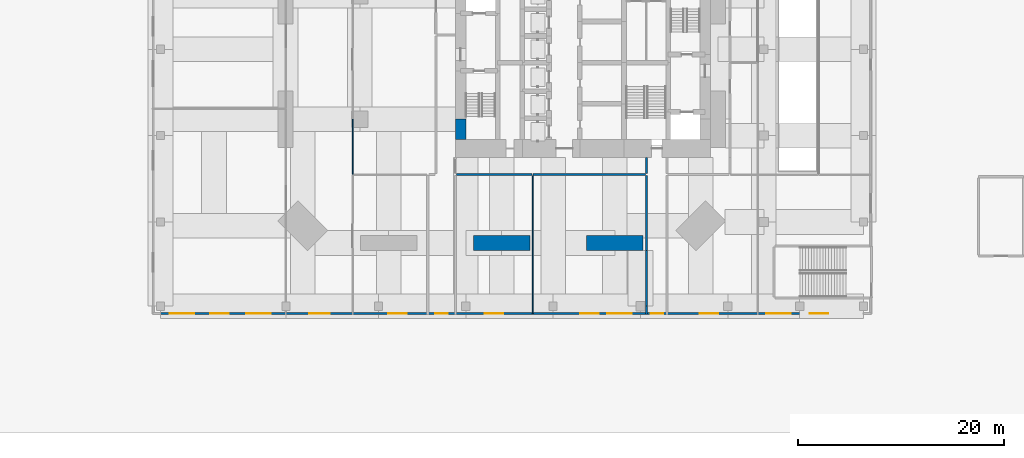
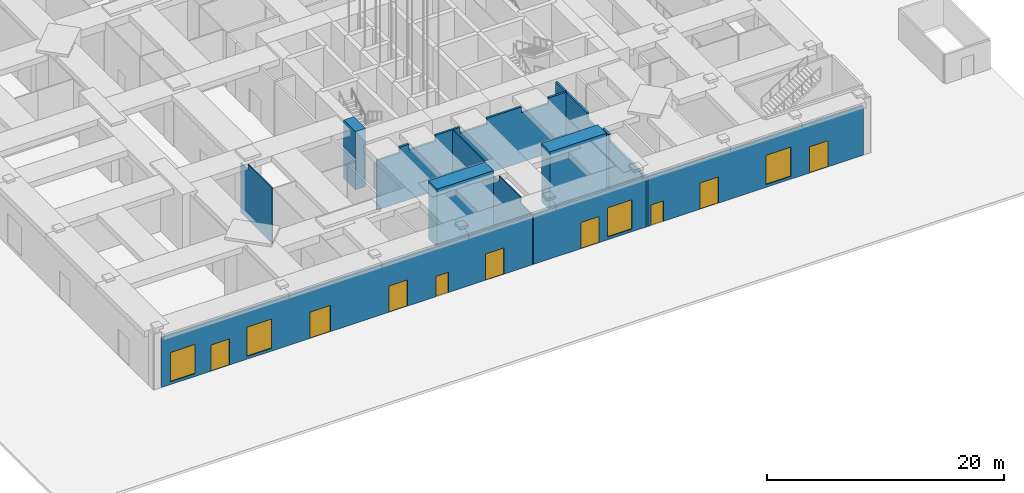
# One storey, part 4 of 17: 12 walls, 9 doors, 4 windows, 13 openings.
"""IFC4 building model written with IfcOpenShell, lengths in metres."""

from ifc_helpers import new_model, si_unit, direction, frame, frame_2d, origin, place, context, subcontext, project, spatial, polyline, rectangle, outline, extrude, material, layer, layer_set, constituent, constituent_set, type_object, element, fill, save


model = new_model("IFC4")

# Units and contexts
model_context = context("Model", 3, precision=1e-05, world=origin(), true_north=direction((0.0, 1.0)))
body_context = subcontext(model_context, "Body", "Model", "MODEL_VIEW")
ifc_project = project(units=[si_unit("LENGTHUNIT", "METRE"), si_unit("AREAUNIT", "SQUARE_METRE"), si_unit("VOLUMEUNIT", "CUBIC_METRE"), si_unit("PLANEANGLEUNIT", "RADIAN"), si_unit("MASSUNIT", "GRAM", prefix="KILO")], contexts=[model_context])

# Site, building, storey
site_placement = place(None, origin())
site = spatial("IfcSite", under=ifc_project, at=site_placement, CompositionType="ELEMENT")
building_placement = place(site_placement, origin())
building = spatial("IfcBuilding", under=site, at=building_placement, Name="Jalousie Tower", CompositionType="ELEMENT")
storey_placement = place(building_placement, origin())
storey = spatial("IfcBuildingStorey", under=building, at=storey_placement, Name="L00", CompositionType="ELEMENT", Elevation=0.0)

# Walls
ifc_material_1 = material(Name="Concrete f'c 120 MPa", Category="concrete")
ifc_layer_1 = layer(ifc_material_1, 1.0)
ifc_layer_set_1 = layer_set([ifc_layer_1], Name="Concrete f'c 120 MPa")
wall_type_1 = type_object("IfcWallType", Name="CORE WALL 1000", PredefinedType="SHEAR", material=ifc_layer_set_1)
wall_1_placement = place(storey_placement, frame((20.0, 13.0, 0.0), z_axis=(0.0, 0.0, 1.0), x_axis=(0.0, -1.0, 0.0)))
element("IfcWall", 1, at=wall_1_placement, inside=storey, type_object=wall_type_1, Name="Core wall WD L00", PredefinedType="SHEAR", context=body_context, shape_type="SweptSolid", body=[
    extrude(rectangle(XDim=2.0, YDim=1.0, at=frame_2d((1.0, 0.0))), origin(), (0.0, 0.0, 1.0), 6.0),
])
ifc_material_2 = material(Name="Concrete block ASTM C90", Category="concrete")
ifc_constituent_1 = constituent(ifc_material_2, Name="Body")
ifc_material_3 = material(Name="Render")
ifc_constituent_2 = constituent(ifc_material_3, Name="Finish")
ifc_constituent_set_1 = constituent_set(constituents=[ifc_constituent_1, ifc_constituent_2])
wall_type_2 = type_object("IfcWallType", Name="CORRIDOR WALL 200", PredefinedType="PARTITIONING", material=ifc_constituent_set_1)
wall_2_placement = place(storey_placement, frame((27.050048828125, 7.60009765625, 0.0), z_axis=(0.0, 0.0, 1.0), x_axis=(1.0, 0.0, 0.0)))
element("IfcWall", 2, at=wall_2_placement, inside=storey, type_object=wall_type_2, Name="Corridor Wall 200 L00", PredefinedType="PARTITIONING", context=body_context, shape_type="SweptSolid", body=[
    extrude(outline(polyline([(0.0, 0.0), (10.949951171875, 0.0), (10.949951171875, 5.719970703125), (9.260009765625, 5.719970703125), (9.260009765625, 5.1201171875), (6.639892578125, 5.1201171875), (6.639892578125, 5.719970703125), (3.260009765625, 5.719970703125), (3.260009765625, 5.1201171875), (0.639892578125, 5.1201171875), (0.639892578125, 5.719970703125), (0.0, 5.719970703125), (0.0, 0.0)])), frame((0.0, 0.10009765625, 0.0), z_axis=(0.0, -1.0, 0.0), x_axis=(1.0, 0.0, 0.0)), (0.0, 0.0, 1.0), 0.199951171875),
])
wall_3_placement = place(storey_placement, frame((19.60009765625, 7.60009765625, 0.0), z_axis=(0.0, 0.0, 1.0), x_axis=(1.0, 0.0, 0.0)))
element("IfcWall", 3, at=wall_3_placement, inside=storey, type_object=wall_type_2, Name="Corridor Wall 200 L00", PredefinedType="PARTITIONING", context=body_context, shape_type="SweptSolid", body=[
    extrude(outline(polyline([(0.0, 0.0), (7.349853515625, 0.0), (7.35009765625, 5.719970703125), (5.7099609375, 5.719970703125), (5.7099609375, 5.1201171875), (3.090087890625, 5.1201171875), (3.090087890625, 5.719970703125), (2.2099609375, 5.719970703125), (2.2099609375, 5.1201171875), (0.0, 5.1201171875), (0.0, 5.719970703125), (0.0, 0.0)])), frame((0.0, 0.10009765625, 0.0), z_axis=(0.0, -1.0, 0.0), x_axis=(1.0, 0.0, 0.0)), (0.0, 0.0, 1.0), 0.199951171875),
])

# Wall, openings, doors, windows
ifc_material_4 = material(Name="Concrete f'c 40 MPa", Category="concrete")
ifc_constituent_3 = constituent(ifc_material_4, Name="Body")
ifc_material_5 = material(Name="Render, pastel coral")
ifc_constituent_4 = constituent(ifc_material_5, Name="Finish")
ifc_constituent_set_2 = constituent_set(constituents=[ifc_constituent_3, ifc_constituent_4])
wall_type_3 = type_object("IfcWallType", Name="EXTERNAL WALL 175 CORAL RENDER", PredefinedType="SOLIDWALL", material=ifc_constituent_set_2)
wall_4_placement = place(storey_placement, frame((-9.199951171875, -5.91259765625, 0.0), z_axis=(0.0, 0.0, 1.0), x_axis=(1.0, 0.0, 0.0)))
wall_4 = element("IfcWall", 4, at=wall_4_placement, inside=storey, type_object=wall_type_3, Name="External Wall 175 Coral Render L00-B", PredefinedType="SOLIDWALL", context=body_context, shape_type="SweptSolid", body=[
    extrude(rectangle(XDim=68.39990234375, YDim=0.175048828125, at=frame_2d((34.199951171875, 0.0))), origin(), (0.0, 0.0, 1.0), 5.1201171875),
])
opening_1_placement = place(wall_4_placement, frame((4.818603515625, 0.0, 0.0)))
opening_1 = element("IfcOpeningElement", 5, at=opening_1_placement, cuts=wall_4, Name="Opening D-SHP", PredefinedType="OPENING", context=body_context, shape_type="SweptSolid", body=[
    extrude(rectangle(XDim=1.800048828125, YDim=2.699951171875, at=frame_2d((0.89990234375, 1.35009765625))), frame((0.0, 0.097412109375, 0.0), z_axis=(0.0, -1.0, 0.0), x_axis=(1.0, 0.0, 0.0)), (0.0, 0.0, 1.0), 0.195068359375),
])
opening_2_placement = place(wall_4_placement, frame((0.87060546875, 0.0, 0.300048828125)))
opening_2 = element("IfcOpeningElement", 6, at=opening_2_placement, cuts=wall_4, Name="Opening W-SHOP", PredefinedType="OPENING", context=body_context, shape_type="SweptSolid", body=[
    extrude(rectangle(XDim=2.39990234375, YDim=3.0, at=frame_2d((1.199951171875, 1.5))), frame((0.0, 0.097412109375, 0.0), z_axis=(0.0, -1.0, 0.0), x_axis=(1.0, 0.0, 0.0)), (0.0, 0.0, 1.0), 0.195068359375),
])
opening_3_placement = place(wall_4_placement, frame((8.33447265625, 0.0, 0.300048828125)))
opening_3 = element("IfcOpeningElement", 7, at=opening_3_placement, cuts=wall_4, Name="Opening W-SHOP", PredefinedType="OPENING", context=body_context, shape_type="SweptSolid", body=[
    extrude(rectangle(XDim=2.39990234375, YDim=3.0, at=frame_2d((1.199951171875, 1.5))), frame((0.0, 0.097412109375, 0.0), z_axis=(0.0, -1.0, 0.0), x_axis=(1.0, 0.0, 0.0)), (0.0, 0.0, 1.0), 0.195068359375),
])
opening_4_placement = place(wall_4_placement, frame((14.449951171875, 0.0, 0.0)))
opening_4 = element("IfcOpeningElement", 8, at=opening_4_placement, cuts=wall_4, Name="Opening D-ENT", PredefinedType="OPENING", context=body_context, shape_type="SweptSolid", body=[
    extrude(rectangle(XDim=2.0, YDim=2.699951171875, at=frame_2d((1.0, 1.35009765625))), frame((0.0, 0.097412109375, 0.0), z_axis=(0.0, -1.0, 0.0), x_axis=(1.0, 0.0, 0.0)), (0.0, 0.0, 1.0), 0.195068359375),
])
opening_5_placement = place(wall_4_placement, frame((22.169921875, 0.0, 0.0)))
opening_5 = element("IfcOpeningElement", 9, at=opening_5_placement, cuts=wall_4, Name="Opening D-SHP", PredefinedType="OPENING", context=body_context, shape_type="SweptSolid", body=[
    extrude(rectangle(XDim=1.800048828125, YDim=2.699951171875, at=frame_2d((0.89990234375, 1.35009765625))), frame((0.0, 0.097412109375, 0.0), z_axis=(0.0, -1.0, 0.0), x_axis=(1.0, 0.0, 0.0)), (0.0, 0.0, 1.0), 0.195068359375),
])
opening_6_placement = place(wall_4_placement, frame((26.75, 0.0, 0.0)))
opening_6 = element("IfcOpeningElement", 10, at=opening_6_placement, cuts=wall_4, Name="Opening D-EXP", PredefinedType="OPENING", context=body_context, shape_type="SweptSolid", body=[
    extrude(rectangle(XDim=1.199951171875, YDim=2.10009765625, at=frame_2d((0.60009765625, 1.050048828125))), frame((0.0, 0.097412109375, 0.0), z_axis=(0.0, -1.0, 0.0), x_axis=(1.0, 0.0, 0.0)), (0.0, 0.0, 1.0), 0.195068359375),
])
opening_7_placement = place(wall_4_placement, frame((31.550048828125, 0.0, 0.0)))
opening_7 = element("IfcOpeningElement", 11, at=opening_7_placement, cuts=wall_4, Name="Opening D-SHP", PredefinedType="OPENING", context=body_context, shape_type="SweptSolid", body=[
    extrude(rectangle(XDim=1.800048828125, YDim=2.699951171875, at=frame_2d((0.89990234375, 1.35009765625))), frame((0.0, 0.097412109375, 0.0), z_axis=(0.0, -1.0, 0.0), x_axis=(1.0, 0.0, 0.0)), (0.0, 0.0, 1.0), 0.195068359375),
])
opening_8_placement = place(wall_4_placement, frame((40.85009765625, 0.0, 0.0)))
opening_8 = element("IfcOpeningElement", 12, at=opening_8_placement, cuts=wall_4, Name="Opening D-SHP", PredefinedType="OPENING", context=body_context, shape_type="SweptSolid", body=[
    extrude(rectangle(XDim=1.800048828125, YDim=2.699951171875, at=frame_2d((0.89990234375, 1.35009765625))), frame((0.0, 0.097412109375, 0.0), z_axis=(0.0, -1.0, 0.0), x_axis=(1.0, 0.0, 0.0)), (0.0, 0.0, 1.0), 0.195068359375),
])
opening_9_placement = place(wall_4_placement, frame((43.445068359375, 0.0, 0.300048828125)))
opening_9 = element("IfcOpeningElement", 13, at=opening_9_placement, cuts=wall_4, Name="Opening W-SHOP", PredefinedType="OPENING", context=body_context, shape_type="SweptSolid", body=[
    extrude(rectangle(XDim=2.39990234375, YDim=3.0, at=frame_2d((1.199951171875, 1.5))), frame((0.0, 0.097412109375, 0.0), z_axis=(0.0, -1.0, 0.0), x_axis=(1.0, 0.0, 0.0)), (0.0, 0.0, 1.0), 0.195068359375),
])
opening_10_placement = place(wall_4_placement, frame((47.699951171875, 0.0, 0.0)))
opening_10 = element("IfcOpeningElement", 14, at=opening_10_placement, cuts=wall_4, Name="Opening D-EXP", PredefinedType="OPENING", context=body_context, shape_type="SweptSolid", body=[
    extrude(rectangle(XDim=1.199951171875, YDim=2.10009765625, at=frame_2d((0.60009765625, 1.050048828125))), frame((0.0, 0.097412109375, 0.0), z_axis=(0.0, -1.0, 0.0), x_axis=(1.0, 0.0, 0.0)), (0.0, 0.0, 1.0), 0.195068359375),
])
opening_11_placement = place(wall_4_placement, frame((52.485107421875, 0.0, 0.0)))
opening_11 = element("IfcOpeningElement", 15, at=opening_11_placement, cuts=wall_4, Name="Opening D-SHP", PredefinedType="OPENING", context=body_context, shape_type="SweptSolid", body=[
    extrude(rectangle(XDim=1.800048828125, YDim=2.699951171875, at=frame_2d((0.89990234375, 1.35009765625))), frame((0.0, 0.097412109375, 0.0), z_axis=(0.0, -1.0, 0.0), x_axis=(1.0, 0.0, 0.0)), (0.0, 0.0, 1.0), 0.195068359375),
])
opening_12_placement = place(wall_4_placement, frame((63.159423828125, 0.0, 0.0)))
opening_12 = element("IfcOpeningElement", 16, at=opening_12_placement, cuts=wall_4, Name="Opening D-SHP", PredefinedType="OPENING", context=body_context, shape_type="SweptSolid", body=[
    extrude(rectangle(XDim=1.800048828125, YDim=2.699951171875, at=frame_2d((0.89990234375, 1.35009765625))), frame((0.0, 0.097412109375, 0.0), z_axis=(0.0, -1.0, 0.0), x_axis=(1.0, 0.0, 0.0)), (0.0, 0.0, 1.0), 0.195068359375),
])
opening_13_placement = place(wall_4_placement, frame((58.920166015625, 0.0, 0.300048828125)))
opening_13 = element("IfcOpeningElement", 17, at=opening_13_placement, cuts=wall_4, Name="Opening W-SHOP", PredefinedType="OPENING", context=body_context, shape_type="SweptSolid", body=[
    extrude(rectangle(XDim=2.39990234375, YDim=3.0, at=frame_2d((1.199951171875, 1.5))), frame((0.0, 0.097412109375, 0.0), z_axis=(0.0, -1.0, 0.0), x_axis=(1.0, 0.0, 0.0)), (0.0, 0.0, 1.0), 0.195068359375),
])
ifc_material_6 = material(Name="Aluminium frame, impact-rated glazing", Category="aluminium")
door_type_1 = type_object("IfcDoorType", Name="ENTRANCE DOOR 2000x2700", OperationType="DOUBLE_DOOR_SINGLE_SWING", PredefinedType="DOOR", material=ifc_material_6)
door_1_placement = place(opening_4_placement, frame((2.0, 0.0, 0.0), z_axis=(0.0, 0.0, 1.0), x_axis=(-1.0, 0.0, 0.0)))
door_1 = element("IfcDoor", 18, at=door_1_placement, inside=storey, type_object=door_type_1, Name="Concourse street door", OperationType="DOUBLE_DOOR_SINGLE_SWING", OverallHeight=2.699951171875, OverallWidth=2.0, PredefinedType="DOOR", context=body_context, shape_type="SweptSolid", body=[
    extrude(rectangle(XDim=2.0, YDim=2.699951171875, at=frame_2d((1.0, 1.35009765625))), frame((0.0, 0.02490234375, 0.0), z_axis=(0.0, -1.0, 0.0), x_axis=(1.0, 0.0, 0.0)), (0.0, 0.0, 1.0), 0.050048828125),
])
fill(opening_4, door_1)
ifc_material_7 = material(Name="Steel door", Category="steel")
door_type_2 = type_object("IfcDoorType", Name="EXTERNAL EXIT DOOR 1200x2100", OperationType="SINGLE_SWING_LEFT", PredefinedType="DOOR", material=ifc_material_7)
door_2_placement = place(opening_6_placement, frame((1.199951171875, 0.0, 0.0), z_axis=(0.0, 0.0, 1.0), x_axis=(-1.0, 0.0, 0.0)))
door_2 = element("IfcDoor", 19, at=door_2_placement, inside=storey, type_object=door_type_2, Name="Exit passageway A external street door", OperationType="SINGLE_SWING_RIGHT", OverallHeight=2.10009765625, OverallWidth=1.199951171875, PredefinedType="DOOR", context=body_context, shape_type="SweptSolid", body=[
    extrude(rectangle(XDim=1.199951171875, YDim=2.10009765625, at=frame_2d((0.60009765625, 1.050048828125))), frame((0.0, 0.02490234375, 0.0), z_axis=(0.0, -1.0, 0.0), x_axis=(1.0, 0.0, 0.0)), (0.0, 0.0, 1.0), 0.050048828125),
])
fill(opening_6, door_2)
door_3_placement = place(opening_10_placement, frame((1.199951171875, 0.0, 0.0), z_axis=(0.0, 0.0, 1.0), x_axis=(-1.0, 0.0, 0.0)))
door_3 = element("IfcDoor", 20, at=door_3_placement, inside=storey, type_object=door_type_2, Name="Exit passageway C external street door", OperationType="SINGLE_SWING_LEFT", OverallHeight=2.10009765625, OverallWidth=1.199951171875, PredefinedType="DOOR", context=body_context, shape_type="SweptSolid", body=[
    extrude(rectangle(XDim=1.199951171875, YDim=2.10009765625, at=frame_2d((0.60009765625, 1.050048828125))), frame((0.0, 0.02490234375, 0.0), z_axis=(0.0, -1.0, 0.0), x_axis=(1.0, 0.0, 0.0)), (0.0, 0.0, 1.0), 0.050048828125),
])
fill(opening_10, door_3)
ifc_material_8 = material(Name="Aluminium frame, impact-rated glazing", Category="aluminium")
door_type_3 = type_object("IfcDoorType", Name="SHOP DOOR 1800x2700", OperationType="DOUBLE_DOOR_SINGLE_SWING", PredefinedType="DOOR", material=ifc_material_8)
door_4_placement = place(opening_1_placement, frame((1.800048828125, 0.0, 0.0), z_axis=(0.0, 0.0, 1.0), x_axis=(-1.0, 0.0, 0.0)))
door_4 = element("IfcDoor", 21, at=door_4_placement, inside=storey, type_object=door_type_3, Name="Retail unit 1 street door", OperationType="DOUBLE_DOOR_SINGLE_SWING", OverallHeight=2.699951171875, OverallWidth=1.800048828125, PredefinedType="DOOR", context=body_context, shape_type="SweptSolid", body=[
    extrude(rectangle(XDim=1.800048828125, YDim=2.699951171875, at=frame_2d((0.89990234375, 1.35009765625))), frame((0.0, 0.02490234375, 0.0), z_axis=(0.0, -1.0, 0.0), x_axis=(1.0, 0.0, 0.0)), (0.0, 0.0, 1.0), 0.050048828125),
])
fill(opening_1, door_4)
door_5_placement = place(opening_5_placement, frame((1.800048828125, 0.0, 0.0), z_axis=(0.0, 0.0, 1.0), x_axis=(-1.0, 0.0, 0.0)))
door_5 = element("IfcDoor", 22, at=door_5_placement, inside=storey, type_object=door_type_3, Name="Retail unit 4 street door", OperationType="DOUBLE_DOOR_SINGLE_SWING", OverallHeight=2.699951171875, OverallWidth=1.800048828125, PredefinedType="DOOR", context=body_context, shape_type="SweptSolid", body=[
    extrude(rectangle(XDim=1.800048828125, YDim=2.699951171875, at=frame_2d((0.89990234375, 1.35009765625))), frame((0.0, 0.02490234375, 0.0), z_axis=(0.0, -1.0, 0.0), x_axis=(1.0, 0.0, 0.0)), (0.0, 0.0, 1.0), 0.050048828125),
])
fill(opening_5, door_5)
door_6_placement = place(opening_7_placement, frame((1.800048828125, 0.0, 0.0), z_axis=(0.0, 0.0, 1.0), x_axis=(-1.0, 0.0, 0.0)))
door_6 = element("IfcDoor", 23, at=door_6_placement, inside=storey, type_object=door_type_3, Name="Retail unit 8 street door", OperationType="DOUBLE_DOOR_SINGLE_SWING", OverallHeight=2.699951171875, OverallWidth=1.800048828125, PredefinedType="DOOR", context=body_context, shape_type="SweptSolid", body=[
    extrude(rectangle(XDim=1.800048828125, YDim=2.699951171875, at=frame_2d((0.89990234375, 1.35009765625))), frame((0.0, 0.02490234375, 0.0), z_axis=(0.0, -1.0, 0.0), x_axis=(1.0, 0.0, 0.0)), (0.0, 0.0, 1.0), 0.050048828125),
])
fill(opening_7, door_6)
door_7_placement = place(opening_8_placement, frame((1.800048828125, 0.0, 0.0), z_axis=(0.0, 0.0, 1.0), x_axis=(-1.0, 0.0, 0.0)))
door_7 = element("IfcDoor", 24, at=door_7_placement, inside=storey, type_object=door_type_3, Name="Retail unit 5 street door", OperationType="DOUBLE_DOOR_SINGLE_SWING", OverallHeight=2.699951171875, OverallWidth=1.800048828125, PredefinedType="DOOR", context=body_context, shape_type="SweptSolid", body=[
    extrude(rectangle(XDim=1.800048828125, YDim=2.699951171875, at=frame_2d((0.89990234375, 1.35009765625))), frame((0.0, 0.02490234375, 0.0), z_axis=(0.0, -1.0, 0.0), x_axis=(1.0, 0.0, 0.0)), (0.0, 0.0, 1.0), 0.050048828125),
])
fill(opening_8, door_7)
door_8_placement = place(opening_11_placement, frame((1.800048828125, 0.0, 0.0), z_axis=(0.0, 0.0, 1.0), x_axis=(-1.0, 0.0, 0.0)))
door_8 = element("IfcDoor", 25, at=door_8_placement, inside=storey, type_object=door_type_3, Name="Retail unit 7 street door", OperationType="DOUBLE_DOOR_SINGLE_SWING", OverallHeight=2.699951171875, OverallWidth=1.800048828125, PredefinedType="DOOR", context=body_context, shape_type="SweptSolid", body=[
    extrude(rectangle(XDim=1.800048828125, YDim=2.699951171875, at=frame_2d((0.89990234375, 1.35009765625))), frame((0.0, 0.02490234375, 0.0), z_axis=(0.0, -1.0, 0.0), x_axis=(1.0, 0.0, 0.0)), (0.0, 0.0, 1.0), 0.050048828125),
])
fill(opening_11, door_8)
door_9_placement = place(opening_12_placement, frame((1.800048828125, 0.0, 0.0), z_axis=(0.0, 0.0, 1.0), x_axis=(-1.0, 0.0, 0.0)))
door_9 = element("IfcDoor", 26, at=door_9_placement, inside=storey, type_object=door_type_3, Name="Retail unit 6 street door", OperationType="DOUBLE_DOOR_SINGLE_SWING", OverallHeight=2.699951171875, OverallWidth=1.800048828125, PredefinedType="DOOR", context=body_context, shape_type="SweptSolid", body=[
    extrude(rectangle(XDim=1.800048828125, YDim=2.699951171875, at=frame_2d((0.89990234375, 1.35009765625))), frame((0.0, 0.02490234375, 0.0), z_axis=(0.0, -1.0, 0.0), x_axis=(1.0, 0.0, 0.0)), (0.0, 0.0, 1.0), 0.050048828125),
])
fill(opening_12, door_9)
ifc_material_9 = material(Name="Aluminium frame, impact-rated glazing", Category="aluminium")
window_type = type_object("IfcWindowType", Name="WINDOW SHOP 2400x3000", PartitioningType="DOUBLE_PANEL_VERTICAL", PredefinedType="WINDOW", material=ifc_material_9)
window_1_placement = place(opening_2_placement, origin())
window_1 = element("IfcWindow", 27, at=window_1_placement, inside=storey, type_object=window_type, Name="Retail unit 1 shopfront window", OverallHeight=3.0, OverallWidth=2.39990234375, PartitioningType="SINGLE_PANEL", PredefinedType="WINDOW", context=body_context, shape_type="SweptSolid", body=[
    extrude(rectangle(XDim=2.39990234375, YDim=3.0, at=frame_2d((1.199951171875, 1.5))), frame((0.0, 0.030029296875, 0.0), z_axis=(0.0, -1.0, 0.0), x_axis=(1.0, 0.0, 0.0)), (0.0, 0.0, 1.0), 0.06005859375),
])
fill(opening_2, window_1)
window_2_placement = place(opening_3_placement, origin())
window_2 = element("IfcWindow", 28, at=window_2_placement, inside=storey, type_object=window_type, Name="Retail unit 1 shopfront window", OverallHeight=3.0, OverallWidth=2.39990234375, PartitioningType="SINGLE_PANEL", PredefinedType="WINDOW", context=body_context, shape_type="SweptSolid", body=[
    extrude(rectangle(XDim=2.39990234375, YDim=3.0, at=frame_2d((1.199951171875, 1.5))), frame((0.0, 0.030029296875, 0.0), z_axis=(0.0, -1.0, 0.0), x_axis=(1.0, 0.0, 0.0)), (0.0, 0.0, 1.0), 0.06005859375),
])
fill(opening_3, window_2)
window_3_placement = place(opening_9_placement, origin())
window_3 = element("IfcWindow", 29, at=window_3_placement, inside=storey, type_object=window_type, Name="Retail unit 5 shopfront window", OverallHeight=3.0, OverallWidth=2.39990234375, PartitioningType="SINGLE_PANEL", PredefinedType="WINDOW", context=body_context, shape_type="SweptSolid", body=[
    extrude(rectangle(XDim=2.39990234375, YDim=3.0, at=frame_2d((1.199951171875, 1.5))), frame((0.0, 0.030029296875, 0.0), z_axis=(0.0, -1.0, 0.0), x_axis=(1.0, 0.0, 0.0)), (0.0, 0.0, 1.0), 0.06005859375),
])
fill(opening_9, window_3)
window_4_placement = place(opening_13_placement, origin())
window_4 = element("IfcWindow", 30, at=window_4_placement, inside=storey, type_object=window_type, Name="Retail unit 6 shopfront window", OverallHeight=3.0, OverallWidth=2.39990234375, PartitioningType="SINGLE_PANEL", PredefinedType="WINDOW", context=body_context, shape_type="SweptSolid", body=[
    extrude(rectangle(XDim=2.39990234375, YDim=3.0, at=frame_2d((1.199951171875, 1.5))), frame((0.0, 0.030029296875, 0.0), z_axis=(0.0, -1.0, 0.0), x_axis=(1.0, 0.0, 0.0)), (0.0, 0.0, 1.0), 0.06005859375),
])
fill(opening_13, window_4)

# Walls
ifc_material_10 = material(Name="Type X gypsum board", Category="gypsum")
ifc_constituent_5 = constituent(ifc_material_10, Name="Body")
ifc_material_11 = material(Name="Light-gauge steel studs ASTM A653 SS Grade 33", Category="steel")
ifc_constituent_6 = constituent(ifc_material_11, Name="Framing")
ifc_constituent_set_3 = constituent_set(constituents=[ifc_constituent_5, ifc_constituent_6])
wall_type_4 = type_object("IfcWallType", Name="FIRE PARTITION 100", PredefinedType="PARTITIONING", material=ifc_constituent_set_3)
wall_5_placement = place(storey_placement, frame((9.5, 7.64990234375, 0.0), z_axis=(0.0, 0.0, 1.0), x_axis=(0.0, 1.0, 0.0)))
element("IfcWall", 31, at=wall_5_placement, inside=storey, type_object=wall_type_4, Name="Fire Partition 100 L00-A", PredefinedType="PARTITIONING", context=body_context, shape_type="SweptSolid", body=[
    extrude(outline(polyline([(0.0, 0.0), (5.35009765625, 0.0), (5.35009765625, 5.1201171875), (4.090087890625, 5.1201171875), (4.090087890625, 5.719970703125), (0.0, 5.719970703125), (0.0, 0.0)])), frame((0.0, 0.050048828125, 0.0), z_axis=(0.0, -1.0, 0.0), x_axis=(1.0, 0.0, 0.0)), (0.0, 0.0, 1.0), 0.10009765625),
])
ifc_material_12 = material(Name="Gypsum board", Category="gypsum")
ifc_constituent_7 = constituent(ifc_material_12, Name="Body")
ifc_material_13 = material(Name="Light-gauge steel studs ASTM A653 SS Grade 33", Category="steel")
ifc_constituent_8 = constituent(ifc_material_13, Name="Framing")
ifc_constituent_set_4 = constituent_set(constituents=[ifc_constituent_7, ifc_constituent_8])
wall_type_5 = type_object("IfcWallType", Name="PARTITION 100", PredefinedType="PARTITIONING", material=ifc_constituent_set_4)
wall_6_placement = place(storey_placement, frame((27.0, -6.0, 0.0), z_axis=(0.0, 0.0, 1.0), x_axis=(0.0, 1.0, 0.0)))
element("IfcWall", 32, at=wall_6_placement, inside=storey, type_object=wall_type_5, Name="Partition 100 L00", PredefinedType="PARTITIONING", context=body_context, shape_type="SweptSolid", body=[
    extrude(outline(polyline([(0.0, 0.0), (13.5, 0.0), (13.5, 5.719970703125), (8.2099609375, 5.719970703125), (8.2099609375, 5.1201171875), (5.68994140625, 5.1201171875), (5.68994140625, 5.719970703125), (2.06005859375, 5.719970703125), (2.06005859375, 5.1201171875), (0.0, 5.1201171875), (0.0, 5.719970703125), (0.0, 0.0)])), frame((0.0, 0.050048828125, 0.0), z_axis=(0.0, -1.0, 0.0), x_axis=(1.0, 0.0, 0.0)), (0.0, 0.0, 1.0), 0.10009765625),
])
ifc_material_14 = material(Name="Concrete f'c 120 MPa", Category="concrete")
ifc_layer_2 = layer(ifc_material_14, 1.449951171875)
ifc_layer_set_2 = layer_set([ifc_layer_2], Name="Concrete f'c 120 MPa")
wall_type_6 = type_object("IfcWallType", Name="RC WALL PIER 1450", PredefinedType="SHEAR", material=ifc_layer_set_2)
for number, where, z_axis, x_axis, name in (
    (33, (21.25, 0.949951171875, 0.0), (0.0, 0.0, 1.0), (1.0, 0.0, 0.0), "Wall pier 03 L00"),
    (34, (32.25, 0.949951171875, 0.0), (0.0, 0.0, 1.0), (1.0, 0.0, 0.0), "Wall pier 04 L00"),
):
    element("IfcWall", number, at=place(storey_placement, frame(where, z_axis=z_axis, x_axis=x_axis)), inside=storey, type_object=wall_type_6, Name=name, PredefinedType="SHEAR", context=body_context, shape_type="SweptSolid", body=[
        extrude(rectangle(XDim=5.5, YDim=1.449951171875, at=frame_2d((2.75, 0.0))), origin(), (0.0, 0.0, 1.0), 6.0),
    ])
ifc_material_15 = material(Name="Concrete block ASTM C90", Category="concrete")
ifc_constituent_9 = constituent(ifc_material_15, Name="Body")
ifc_material_16 = material(Name="Render")
ifc_constituent_10 = constituent(ifc_material_16, Name="Finish")
ifc_constituent_set_5 = constituent_set(constituents=[ifc_constituent_9, ifc_constituent_10])
wall_type_7 = type_object("IfcWallType", Name="STAIR WALL 200", PredefinedType="SOLIDWALL", material=ifc_constituent_set_5)
wall_7_placement = place(storey_placement, frame((38.10009765625, -6.0, 0.0), z_axis=(0.0, 0.0, 1.0), x_axis=(0.0, 1.0, 0.0)))
element("IfcWall", 35, at=wall_7_placement, inside=storey, type_object=wall_type_7, Name="Stair Wall 200 L00-A", PredefinedType="SOLIDWALL", context=body_context, shape_type="SweptSolid", body=[
    extrude(rectangle(XDim=0.800048828125, YDim=0.199951171875, at=frame_2d((0.39990234375, 0.0))), origin(), (0.0, 0.0, 1.0), 5.1201171875),
])
wall_8_placement = place(storey_placement, frame((38.10009765625, -5.199951171875, 0.0), z_axis=(0.0, 0.0, 1.0), x_axis=(0.0, 1.0, 0.0)))
element("IfcWall", 36, at=wall_8_placement, inside=storey, type_object=wall_type_7, Name="Stair Wall 200 L00-B", PredefinedType="SOLIDWALL", context=body_context, shape_type="SweptSolid", body=[
    extrude(rectangle(XDim=5.425048828125, YDim=0.199951171875, at=frame_2d((2.71240234375, 0.0))), origin(), (0.0, 0.0, 1.0), 5.1201171875),
])
wall_9_placement = place(storey_placement, frame((38.10009765625, 0.22509765625, 0.0), z_axis=(0.0, 0.0, 1.0), x_axis=(0.0, 1.0, 0.0)))
element("IfcWall", 37, at=wall_9_placement, inside=storey, type_object=wall_type_7, Name="Stair Wall 200 L00-C", PredefinedType="SOLIDWALL", context=body_context, shape_type="SweptSolid", body=[
    extrude(outline(polyline([(0.0, 0.0), (7.27490234375, 0.0), (7.27490234375, 5.719970703125), (3.71630859375, 5.719970703125), (3.71630859375, 5.1201171875), (1.096435546875, 5.1201171875), (1.096435546875, 5.719970703125), (0.110107421875, 5.719970703125), (0.110107421875, 5.1201171875), (0.0, 5.1201171875), (0.0, 0.0)])), frame((0.0, 0.10009765625, 0.0), z_axis=(0.0, -1.0, 0.0), x_axis=(1.0, 0.0, 0.0)), (0.0, 0.0, 1.0), 0.199951171875),
])
wall_10_placement = place(storey_placement, frame((38.10009765625, 7.699951171875, 0.0), z_axis=(0.0, 0.0, 1.0), x_axis=(0.0, 1.0, 0.0)))
element("IfcWall", 38, at=wall_10_placement, inside=storey, type_object=wall_type_7, Name="Stair Wall 200 L00", PredefinedType="SOLIDWALL", context=body_context, shape_type="SweptSolid", body=[
    extrude(rectangle(XDim=1.550048828125, YDim=0.199951171875, at=frame_2d((0.77490234375, 0.0))), origin(), (0.0, 0.0, 1.0), 5.719970703125),
])

save(model, "model.ifc")
